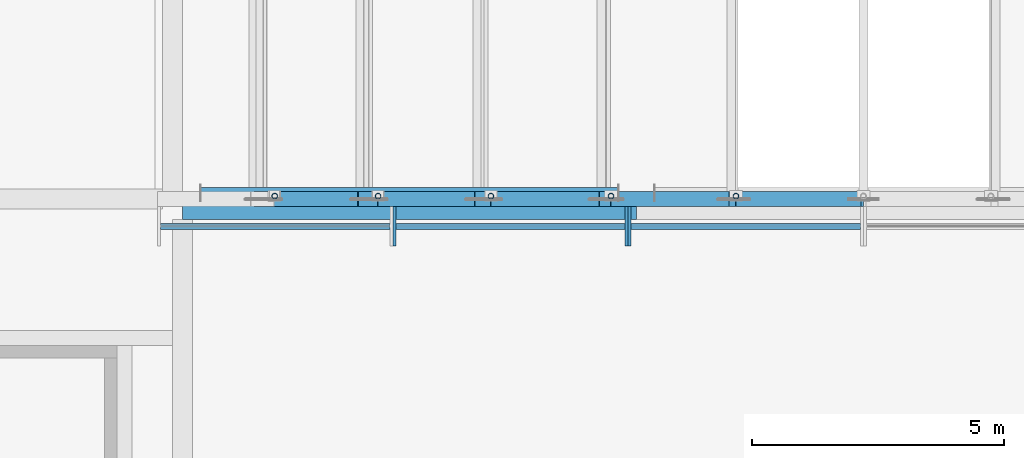
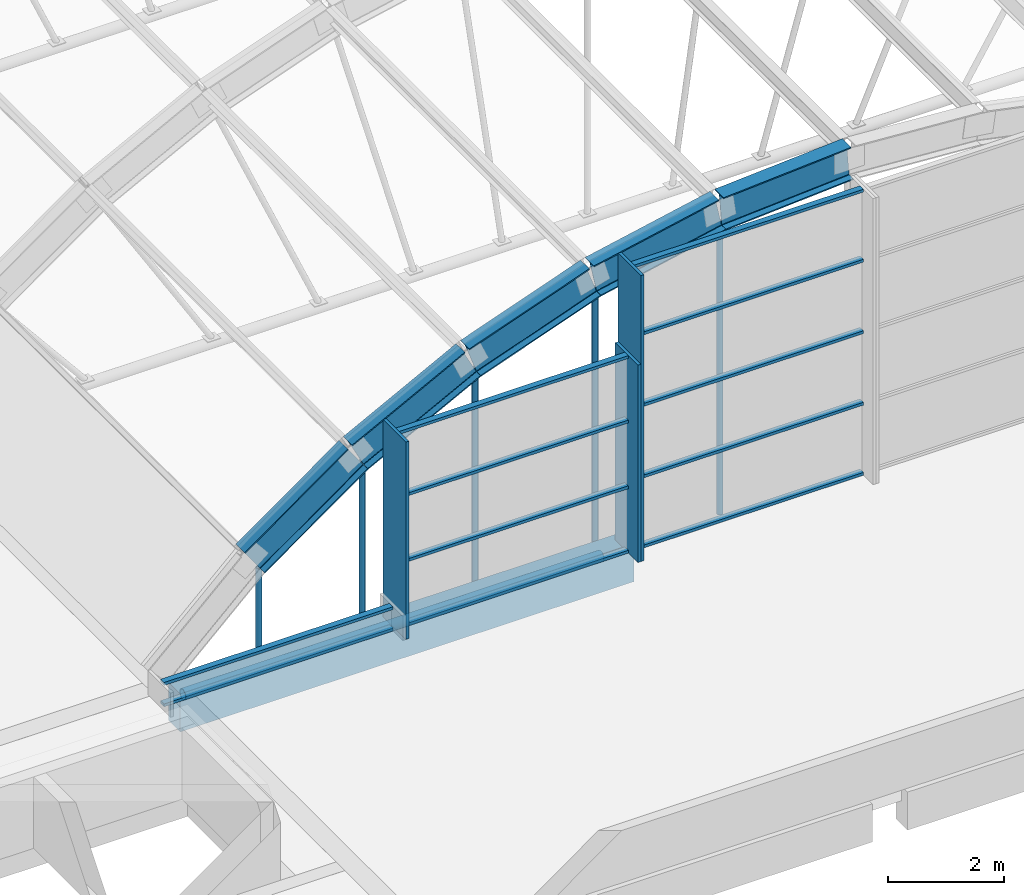
# One storey, part 2 of 43: 20 members, 6 beams, 3 elements without a shape of their own.
"""IFC4 building model written with IfcOpenShell, lengths in metres."""

from ifc_helpers import new_model, si_unit, direction, frame, origin, origin_2d, place, context, subcontext, project, spatial, rectangle, hollow_circle, i_section, extrude, material, layer, layer_set, material_profile, profile_set, type_object, element, aggregate, save


model = new_model("IFC4")

# Units and contexts
model_context = context("Model", 3, precision=1e-05, world=origin(), true_north=direction((0.0, 1.0)))
body_context = subcontext(model_context, "Body", "Model", "MODEL_VIEW")
ifc_project = project(units=[si_unit("LENGTHUNIT", "METRE"), si_unit("AREAUNIT", "SQUARE_METRE"), si_unit("VOLUMEUNIT", "CUBIC_METRE"), si_unit("PLANEANGLEUNIT", "RADIAN"), si_unit("MASSUNIT", "GRAM", prefix="KILO")], contexts=[model_context])

# Site, building, storey
site_placement = place(None, origin())
site = spatial("IfcSite", under=ifc_project, at=site_placement, CompositionType="ELEMENT")
building_placement = place(site_placement, origin())
building = spatial("IfcBuilding", under=site, at=building_placement, Name="Guidao Yard Department Store", CompositionType="ELEMENT")
storey_placement = place(building_placement, frame((0.0, 0.0, 28.5)))
storey = spatial("IfcBuildingStorey", under=building, at=storey_placement, Name="L06", CompositionType="ELEMENT", Elevation=28.5)

# Members
ifc_material_1 = material(Name="Steel Q355B", Category="steel")
ifc_material_profile_1 = material_profile(ifc_material_1, hollow_circle(Radius=0.056884765625, WallThickness=0.006103515625, at=origin_2d()), Name="CHS 114x6")
ifc_profile_set_1 = profile_set([ifc_material_profile_1], Name="Steel Q355B")
member_type_1 = type_object("IfcMemberType", Name="CHS 114x6", PredefinedType="BRACE", material=ifc_profile_set_1)
member_1_placement = place(storey_placement, frame((19.826416015625, 54.06005859375, -0.33447265625), z_axis=(0.0, 0.0, 1.0), x_axis=(1.0, 0.0, 0.0)))
element("IfcMember", 1, at=member_1_placement, inside=storey, type_object=member_type_1, Name="Roof web strut A01-01", PredefinedType="BRACE", context=body_context, shape_type="SweptSolid", body=[
    extrude(hollow_circle(Radius=0.056884765625, WallThickness=0.006103515625, at=origin_2d()), origin(), (0.0, 0.0, 1.0), 2.075439453125),
])
member_2_placement = place(storey_placement, frame((21.876708984375, 54.06005859375, -0.33447265625), z_axis=(0.0, 0.0, 1.0), x_axis=(1.0, 0.0, 0.0)))
element("IfcMember", 2, at=member_2_placement, inside=storey, type_object=member_type_1, Name="Roof web strut A01-02", PredefinedType="BRACE", context=body_context, shape_type="SweptSolid", body=[
    extrude(hollow_circle(Radius=0.056884765625, WallThickness=0.006103515625, at=origin_2d()), origin(), (0.0, 0.0, 1.0), 3.534423828125),
])
member_3_placement = place(storey_placement, frame((24.11376953125, 54.06005859375, -0.33447265625), z_axis=(0.0, 0.0, 1.0), x_axis=(1.0, 0.0, 0.0)))
element("IfcMember", 3, at=member_3_placement, inside=storey, type_object=member_type_1, Name="Roof web strut A01-03", PredefinedType="BRACE", context=body_context, shape_type="SweptSolid", body=[
    extrude(hollow_circle(Radius=0.056884765625, WallThickness=0.006103515625, at=origin_2d()), origin(), (0.0, 0.0, 1.0), 4.69970703125),
])
member_4_placement = place(storey_placement, frame((26.49462890625, 54.06005859375, -0.33447265625), z_axis=(0.0, 0.0, 1.0), x_axis=(1.0, 0.0, 0.0)))
element("IfcMember", 4, at=member_4_placement, inside=storey, type_object=member_type_1, Name="Roof web strut A01-04", PredefinedType="BRACE", context=body_context, shape_type="SweptSolid", body=[
    extrude(hollow_circle(Radius=0.056884765625, WallThickness=0.006103515625, at=origin_2d()), origin(), (0.0, 0.0, 1.0), 5.548583984375),
])
member_5_placement = place(storey_placement, frame((28.97265625, 54.06005859375, -0.33447265625), z_axis=(0.0, 0.0, 1.0), x_axis=(1.0, 0.0, 0.0)))
element("IfcMember", 5, at=member_5_placement, inside=storey, type_object=member_type_1, Name="Roof web strut A01-05", PredefinedType="BRACE", context=body_context, shape_type="SweptSolid", body=[
    extrude(hollow_circle(Radius=0.056884765625, WallThickness=0.006103515625, at=origin_2d()), origin(), (0.0, 0.0, 1.0), 6.064697265625),
])
ifc_material_2 = material(Name="Steel Q355B", Category="steel")
ifc_material_profile_2 = material_profile(ifc_material_2, hollow_circle(Radius=0.109619140625, WallThickness=0.010009765625, at=origin_2d()), Name="CHS 219x10")
ifc_profile_set_2 = profile_set([ifc_material_profile_2], Name="Steel Q355B")
member_type_2 = type_object("IfcMemberType", Name="CHS 219x10", PredefinedType="BRACE", material=ifc_profile_set_2)
member_6_placement = place(storey_placement, frame((18.35009765625, 54.1201171875, -0.449951171875), z_axis=(1.0, 0.0, 0.0), x_axis=(0.0, 1.0, 0.0)))
element("IfcMember", 6, at=member_6_placement, inside=storey, type_object=member_type_2, Name="Roof tie rod A01-1", PredefinedType="BRACE", context=body_context, shape_type="SweptSolid", body=[
    extrude(hollow_circle(Radius=0.109619140625, WallThickness=0.010009765625, at=origin_2d()), origin(), (0.0, 0.0, 1.0), 8.2998046875),
])

# Beams
ifc_material_3 = material(Name="Steel Q355B", Category="steel")
ifc_material_profile_3 = material_profile(ifc_material_3, i_section(OverallWidth=0.300048828125, OverallDepth=0.699951171875, WebThickness=0.012939453125, FlangeThickness=0.02392578125, FilletRadius=0.01806640625, at=origin_2d()), Name="HN 700x300x13x24")
ifc_profile_set_3 = profile_set([ifc_material_profile_3], Name="Steel Q355B")
beam_type_1 = type_object("IfcBeamType", Name="HN 700x300x13x24", PredefinedType="BEAM", material=ifc_profile_set_3)
beam_1_placement = place(storey_placement, frame((19.62353515625, 54.0, 2.026123046875), z_axis=(0.814735308412, 0.0, 0.579833059791), x_axis=(0.0, 1.0, 0.0)))
element("IfcBeam", 7, at=beam_1_placement, inside=storey, type_object=beam_type_1, Name="Roof rib A01-02", PredefinedType="BEAM", context=body_context, shape_type="SweptSolid", body=[
    extrude(i_section(OverallWidth=0.300048828125, OverallDepth=0.699951171875, WebThickness=0.012939453125, FlangeThickness=0.02392578125, FilletRadius=0.01806640625, at=origin_2d()), origin(), (0.0, 0.0, 1.0), 2.51611328125),
])
beam_2_placement = place(storey_placement, frame((21.71484375, 54.0, 3.51025390625), z_axis=(0.886910779875, 0.0, 0.461940763023), x_axis=(0.0, 1.0, 0.0)))
element("IfcBeam", 8, at=beam_2_placement, inside=storey, type_object=beam_type_1, Name="Roof rib A01-03", PredefinedType="BEAM", context=body_context, shape_type="SweptSolid", body=[
    extrude(i_section(OverallWidth=0.300048828125, OverallDepth=0.699951171875, WebThickness=0.012939453125, FlangeThickness=0.02392578125, FilletRadius=0.01806640625, at=origin_2d()), origin(), (0.0, 0.0, 1.0), 2.5224609375),
])
beam_3_placement = place(storey_placement, frame((23.996337890625, 54.0, 4.69482421875), z_axis=(0.94189041097, 0.0, 0.335920308588), x_axis=(0.0, 1.0, 0.0)))
element("IfcBeam", 9, at=beam_3_placement, inside=storey, type_object=beam_type_1, Name="Roof rib A01-04", PredefinedType="BEAM", context=body_context, shape_type="SweptSolid", body=[
    extrude(i_section(OverallWidth=0.300048828125, OverallDepth=0.699951171875, WebThickness=0.012939453125, FlangeThickness=0.02392578125, FilletRadius=0.01806640625, at=origin_2d()), origin(), (0.0, 0.0, 1.0), 2.52783203125),
])
beam_4_placement = place(storey_placement, frame((26.42333984375, 54.0, 5.556884765625), z_axis=(0.978991652307, 0.0, 0.203900330343), x_axis=(0.0, 1.0, 0.0)))
element("IfcBeam", 10, at=beam_4_placement, inside=storey, type_object=beam_type_1, Name="Roof rib A01-05", PredefinedType="BEAM", context=body_context, shape_type="SweptSolid", body=[
    extrude(i_section(OverallWidth=0.300048828125, OverallDepth=0.699951171875, WebThickness=0.012939453125, FlangeThickness=0.02392578125, FilletRadius=0.01806640625, at=origin_2d()), origin(), (0.0, 0.0, 1.0), 2.53125),
])
beam_5_placement = place(storey_placement, frame((28.94873046875, 54.0, 6.07958984375), z_axis=(0.997662835171, 0.0, 0.06832911033), x_axis=(0.0, 1.0, 0.0)))
element("IfcBeam", 11, at=beam_5_placement, inside=storey, type_object=beam_type_1, Name="Roof rib A01-06", PredefinedType="BEAM", context=body_context, shape_type="SweptSolid", body=[
    extrude(i_section(OverallWidth=0.300048828125, OverallDepth=0.699951171875, WebThickness=0.012939453125, FlangeThickness=0.02392578125, FilletRadius=0.01806640625, at=origin_2d()), origin(), (0.0, 0.0, 1.0), 2.533203125),
])

# Curtain wall, members
ifc_material_4 = material(Name="Aluminium and glass", Category="aluminium")
ifc_layer = layer(ifc_material_4, 0.159912109375)
ifc_layer_set = layer_set([ifc_layer], Name="Gable glazing CW7 1500 module")
curtain_wall_type = type_object("IfcCurtainWallType", Name="Gable glazing CW7 1500 module", PredefinedType="NOTDEFINED", material=ifc_layer_set)
curtain_wall_1_placement = place(storey_placement, origin())
curtain_wall_1 = element("IfcCurtainWall", 12, at=curtain_wall_1_placement, inside=storey, type_object=curtain_wall_type, Name="Gable glazing AS2", PredefinedType="NOTDEFINED")
ifc_material_5 = material(Name="Aluminium 6063-T5", Category="aluminium")
ifc_material_profile_4 = material_profile(ifc_material_5, rectangle(XDim=0.06005859375, YDim=0.780029296875, at=origin_2d()), Name="Mullion M3 60 x 780 aluminium pressure plate")
ifc_profile_set_4 = profile_set([ifc_material_profile_4], Name="Aluminium 6063-T5")
member_type_3 = type_object("IfcMemberType", Name="Mullion M3 60 x 780 aluminium pressure plate", PredefinedType="MULLION", material=ifc_profile_set_4)
member_7_placement = place(storey_placement, frame((22.199462890625, 53.4599609375, 0.0), z_axis=(0.0, 0.0, 1.0), x_axis=(-1.0, 0.0, 0.0)))
member_7 = element("IfcMember", 13, at=member_7_placement, type_object=member_type_3, Name="CW-TAS2 mullion 1", PredefinedType="MULLION", context=body_context, shape_type="SweptSolid", body=[
    extrude(rectangle(XDim=0.06005859375, YDim=0.780029296875, at=origin_2d()), origin(), (0.0, 0.0, 1.0), 4.1416015625),
])
member_8_placement = place(storey_placement, frame((26.8046875, 53.4599609375, 0.0), z_axis=(0.0, 0.0, 1.0), x_axis=(-1.0, 0.0, 0.0)))
member_8 = element("IfcMember", 14, at=member_8_placement, type_object=member_type_3, Name="CW-TAS2 mullion 2", PredefinedType="MULLION", context=body_context, shape_type="SweptSolid", body=[
    extrude(rectangle(XDim=0.06005859375, YDim=0.780029296875, at=origin_2d()), origin(), (0.0, 0.0, 1.0), 4.1416015625),
])

# Curtain wall, member
curtain_wall_2_placement = place(storey_placement, origin())
curtain_wall_2 = element("IfcCurtainWall", 15, at=curtain_wall_2_placement, inside=storey, type_object=curtain_wall_type, Name="Gable glazing AS3", PredefinedType="NOTDEFINED")
member_9_placement = place(storey_placement, frame((26.86474609375, 53.4599609375, 0.0), z_axis=(0.0, 0.0, 1.0), x_axis=(-1.0, 0.0, 0.0)))
member_9 = element("IfcMember", 16, at=member_9_placement, type_object=member_type_3, Name="CW-TAS3 mullion 1", PredefinedType="MULLION", context=body_context, shape_type="SweptSolid", body=[
    extrude(rectangle(XDim=0.06005859375, YDim=0.780029296875, at=origin_2d()), origin(), (0.0, 0.0, 1.0), 6.0),
])

# Curtain wall, members
curtain_wall_3_placement = place(storey_placement, origin())
curtain_wall_3 = element("IfcCurtainWall", 17, at=curtain_wall_3_placement, inside=storey, type_object=curtain_wall_type, Name="Gable glazing AS1", PredefinedType="NOTDEFINED")
ifc_material_6 = material(Name="Aluminium 6063-T5", Category="aluminium")
ifc_material_profile_5 = material_profile(ifc_material_6, rectangle(XDim=0.1201171875, YDim=0.06005859375, at=origin_2d()), Name="Transom T1 60 x 120 aluminium pressure plate")
ifc_profile_set_5 = profile_set([ifc_material_profile_5], Name="Aluminium 6063-T5")
member_type_4 = type_object("IfcMemberType", Name="Transom T1 60 x 120 aluminium pressure plate", PredefinedType="USERDEFINED", material=ifc_profile_set_5)
member_10_placement = place(storey_placement, frame((22.109375, 53.4599609375, 0.030029296875), z_axis=(-1.0, 0.0, 0.0), x_axis=(0.0, -1.0, 0.0)))
member_10 = element("IfcMember", 18, at=member_10_placement, type_object=member_type_4, Name="CW-TAS1 transom 1.1", ObjectType="TRANSOM", PredefinedType="USERDEFINED", context=body_context, shape_type="SweptSolid", body=[
    extrude(rectangle(XDim=0.1201171875, YDim=0.06005859375, at=origin_2d()), origin(), (0.0, 0.0, 1.0), 4.54541015625),
])
member_11_placement = place(storey_placement, frame((22.109375, 53.4599609375, 0.478759765625), z_axis=(-1.0, 0.0, 0.0), x_axis=(0.0, -1.0, 0.0)))
member_11 = element("IfcMember", 19, at=member_11_placement, type_object=member_type_4, Name="CW-TAS1 transom 1.2", ObjectType="TRANSOM", PredefinedType="USERDEFINED", context=body_context, shape_type="SweptSolid", body=[
    extrude(rectangle(XDim=0.1201171875, YDim=0.06005859375, at=origin_2d()), origin(), (0.0, 0.0, 1.0), 4.54541015625),
])
aggregate(curtain_wall_3, [member_10, member_11])

# Member
member_12_placement = place(storey_placement, frame((26.774658203125, 53.4599609375, 0.030029296875), z_axis=(-1.0, 0.0, 0.0), x_axis=(0.0, -1.0, 0.0)))
member_12 = element("IfcMember", 20, at=member_12_placement, type_object=member_type_4, Name="CW-TAS2 transom 1.1", ObjectType="TRANSOM", PredefinedType="USERDEFINED", context=body_context, shape_type="SweptSolid", body=[
    extrude(rectangle(XDim=0.1201171875, YDim=0.06005859375, at=origin_2d()), origin(), (0.0, 0.0, 1.0), 4.545166015625),
])

member_13_placement = place(storey_placement, frame((26.774658203125, 53.4599609375, 1.380615234375), z_axis=(-1.0, 0.0, 0.0), x_axis=(0.0, -1.0, 0.0)))
member_13 = element("IfcMember", 21, at=member_13_placement, type_object=member_type_4, Name="CW-TAS2 transom 1.2", ObjectType="TRANSOM", PredefinedType="USERDEFINED", context=body_context, shape_type="SweptSolid", body=[
    extrude(rectangle(XDim=0.1201171875, YDim=0.06005859375, at=origin_2d()), origin(), (0.0, 0.0, 1.0), 4.545166015625),
])

member_14_placement = place(storey_placement, frame((26.774658203125, 53.4599609375, 2.760986328125), z_axis=(-1.0, 0.0, 0.0), x_axis=(0.0, -1.0, 0.0)))
member_14 = element("IfcMember", 22, at=member_14_placement, type_object=member_type_4, Name="CW-TAS2 transom 1.3", ObjectType="TRANSOM", PredefinedType="USERDEFINED", context=body_context, shape_type="SweptSolid", body=[
    extrude(rectangle(XDim=0.1201171875, YDim=0.06005859375, at=origin_2d()), origin(), (0.0, 0.0, 1.0), 4.545166015625),
])

member_15_placement = place(storey_placement, frame((26.774658203125, 53.4599609375, 4.111572265625), z_axis=(-1.0, 0.0, 0.0), x_axis=(0.0, -1.0, 0.0)))
member_15 = element("IfcMember", 23, at=member_15_placement, type_object=member_type_4, Name="CW-TAS2 transom 1.4", ObjectType="TRANSOM", PredefinedType="USERDEFINED", context=body_context, shape_type="SweptSolid", body=[
    extrude(rectangle(XDim=0.1201171875, YDim=0.06005859375, at=origin_2d()), origin(), (0.0, 0.0, 1.0), 4.545166015625),
])

aggregate(curtain_wall_1, [member_7, member_8, member_12, member_13, member_14, member_15])

member_16_placement = place(storey_placement, frame((31.43994140625, 53.4599609375, 0.030029296875), z_axis=(-1.0, 0.0, 0.0), x_axis=(0.0, -1.0, 0.0)))
member_16 = element("IfcMember", 24, at=member_16_placement, type_object=member_type_4, Name="CW-TAS3 transom 1.1", ObjectType="TRANSOM", PredefinedType="USERDEFINED", context=body_context, shape_type="SweptSolid", body=[
    extrude(rectangle(XDim=0.1201171875, YDim=0.06005859375, at=origin_2d()), origin(), (0.0, 0.0, 1.0), 4.545166015625),
])

member_17_placement = place(storey_placement, frame((31.43994140625, 53.4599609375, 1.5), z_axis=(-1.0, 0.0, 0.0), x_axis=(0.0, -1.0, 0.0)))
member_17 = element("IfcMember", 25, at=member_17_placement, type_object=member_type_4, Name="CW-TAS3 transom 1.2", ObjectType="TRANSOM", PredefinedType="USERDEFINED", context=body_context, shape_type="SweptSolid", body=[
    extrude(rectangle(XDim=0.1201171875, YDim=0.06005859375, at=origin_2d()), origin(), (0.0, 0.0, 1.0), 4.545166015625),
])

member_18_placement = place(storey_placement, frame((31.43994140625, 53.4599609375, 3.0), z_axis=(-1.0, 0.0, 0.0), x_axis=(0.0, -1.0, 0.0)))
member_18 = element("IfcMember", 26, at=member_18_placement, type_object=member_type_4, Name="CW-TAS3 transom 1.3", ObjectType="TRANSOM", PredefinedType="USERDEFINED", context=body_context, shape_type="SweptSolid", body=[
    extrude(rectangle(XDim=0.1201171875, YDim=0.06005859375, at=origin_2d()), origin(), (0.0, 0.0, 1.0), 4.545166015625),
])

member_19_placement = place(storey_placement, frame((31.43994140625, 53.4599609375, 4.5), z_axis=(-1.0, 0.0, 0.0), x_axis=(0.0, -1.0, 0.0)))
member_19 = element("IfcMember", 27, at=member_19_placement, type_object=member_type_4, Name="CW-TAS3 transom 1.4", ObjectType="TRANSOM", PredefinedType="USERDEFINED", context=body_context, shape_type="SweptSolid", body=[
    extrude(rectangle(XDim=0.1201171875, YDim=0.06005859375, at=origin_2d()), origin(), (0.0, 0.0, 1.0), 4.545166015625),
])

member_20_placement = place(storey_placement, frame((31.43994140625, 53.4599609375, 5.969970703125), z_axis=(-1.0, 0.0, 0.0), x_axis=(0.0, -1.0, 0.0)))
member_20 = element("IfcMember", 28, at=member_20_placement, type_object=member_type_4, Name="CW-TAS3 transom 1.5", ObjectType="TRANSOM", PredefinedType="USERDEFINED", context=body_context, shape_type="SweptSolid", body=[
    extrude(rectangle(XDim=0.1201171875, YDim=0.06005859375, at=origin_2d()), origin(), (0.0, 0.0, 1.0), 4.545166015625),
])

aggregate(curtain_wall_2, [member_9, member_16, member_17, member_18, member_19, member_20])

# Beam
ifc_material_7 = material(Name="Concrete C40", Category="concrete")
ifc_material_profile_6 = material_profile(ifc_material_7, rectangle(XDim=0.39990234375, YDim=0.800048828125, at=origin_2d()), Name="Vault bearing beam 400 x 800 C40")
ifc_profile_set_6 = profile_set([ifc_material_profile_6], Name="Concrete C40")
beam_type_2 = type_object("IfcBeamType", Name="Vault bearing beam 400 x 800 C40", PredefinedType="BEAM", material=ifc_profile_set_6)
beam_6_placement = place(storey_placement, frame((18.0, 53.800048828125, -0.39990234375), z_axis=(1.0, 0.0, 0.0), x_axis=(0.0, 1.0, 0.0)))
element("IfcBeam", 29, at=beam_6_placement, inside=storey, type_object=beam_type_2, Name="Beam VB05", PredefinedType="BEAM", context=body_context, shape_type="SweptSolid", body=[
    extrude(rectangle(XDim=0.39990234375, YDim=0.800048828125, at=origin_2d()), origin(), (0.0, 0.0, 1.0), 9.0),
])

save(model, "model.ifc")
